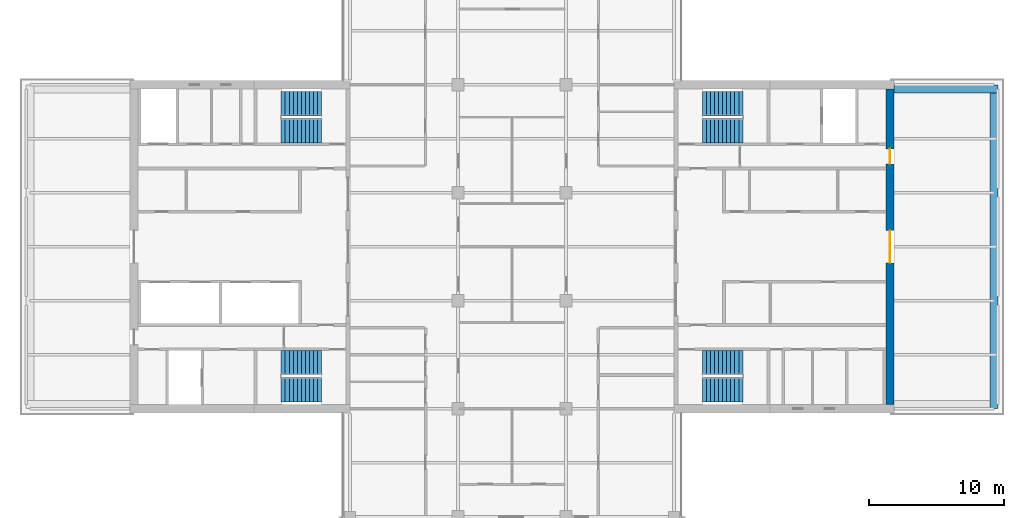
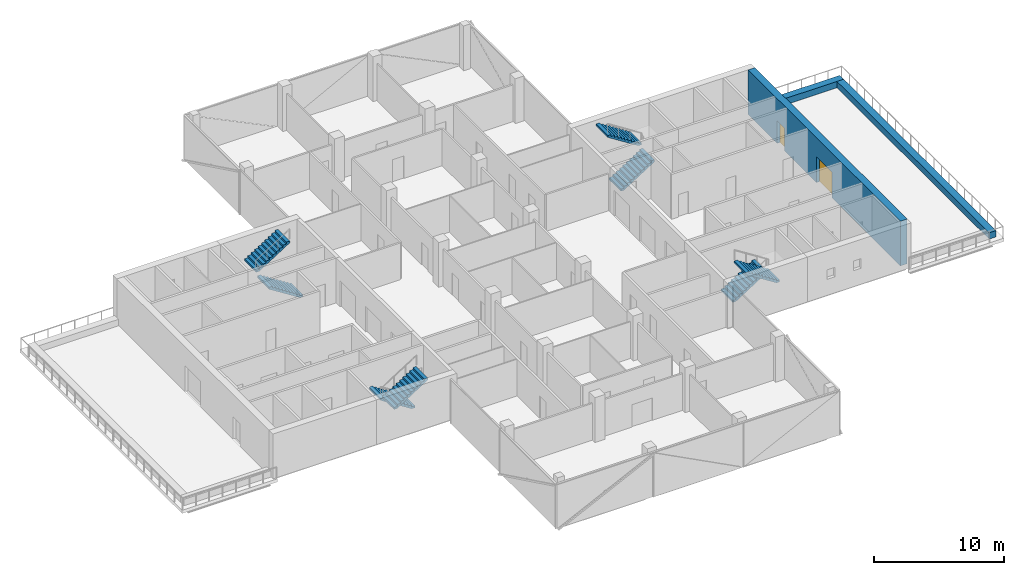
# One storey, part 15 of 18: 8 stair flights, 3 walls, 2 doors, 2 openings, 4 elements without a shape of their own.
"""IFC4 building model written with IfcOpenShell, lengths in metres."""

from ifc_helpers import new_model, si_unit, direction, frame, frame_2d, origin, place, context, subcontext, project, spatial, polyline, rectangle, outline, extrude, material, layer, layer_set, constituent, constituent_set, type_object, element, fill, aggregate, save


model = new_model("IFC4")

# Units and contexts
model_context = context("Model", 3, precision=1e-05, world=origin(), true_north=direction((0.0, 1.0)))
body_context = subcontext(model_context, "Body", "Model", "MODEL_VIEW")
ifc_project = project(units=[si_unit("LENGTHUNIT", "METRE"), si_unit("AREAUNIT", "SQUARE_METRE"), si_unit("VOLUMEUNIT", "CUBIC_METRE"), si_unit("PLANEANGLEUNIT", "RADIAN"), si_unit("MASSUNIT", "GRAM", prefix="KILO")], contexts=[model_context])

# Site, building, storey
site_placement = place(None, origin())
site = spatial("IfcSite", under=ifc_project, at=site_placement, CompositionType="ELEMENT")
building_placement = place(site_placement, origin())
building = spatial("IfcBuilding", under=site, at=building_placement, Name="Crosswind Convention Tower", CompositionType="ELEMENT")
storey_placement = place(building_placement, frame((0.0, 0.0, 178.89990234375)))
storey = spatial("IfcBuildingStorey", under=building, at=storey_placement, Name="L37", CompositionType="ELEMENT", Elevation=178.89990234375)

# Walls
ifc_material_1 = material(Name="Concrete C30/37", Category="concrete")
ifc_layer = layer(ifc_material_1, 0.60009765625)
ifc_layer_set = layer_set([ifc_layer], Name="Concrete C30/37")
wall_type_1 = type_object("IfcWallType", Name="PLANTER BOX WALL 600", PredefinedType="SOLIDWALL", material=ifc_layer_set)
wall_1_placement = place(storey_placement, frame((153.300048828125, 111.699951171875, 0.0), z_axis=(0.0, 0.0, 1.0), x_axis=(1.0, 0.0, 0.0)))
element("IfcWall", 1, at=wall_1_placement, inside=storey, type_object=wall_type_1, Name="PLANTER L37 E 1", PredefinedType="SOLIDWALL", context=body_context, shape_type="SweptSolid", body=[
    extrude(rectangle(XDim=7.699951171875, YDim=0.60009765625, at=frame_2d((3.85009765625, 0.0))), origin(), (0.0, 0.0, 1.0), 0.60009765625),
])
wall_2_placement = place(storey_placement, frame((160.699951171875, 111.39990234375, 0.0), z_axis=(0.0, 0.0, 1.0), x_axis=(0.0, -1.0, 0.0)))
element("IfcWall", 2, at=wall_2_placement, inside=storey, type_object=wall_type_1, Name="PLANTER L37 E 2", PredefinedType="SOLIDWALL", context=body_context, shape_type="SweptSolid", body=[
    extrude(rectangle(XDim=23.39990234375, YDim=0.60009765625, at=frame_2d((11.699951171875, 0.0))), origin(), (0.0, 0.0, 1.0), 0.60009765625),
])

# Wall, openings, doors
ifc_material_2 = material(Name="Concrete C60/75", Category="concrete")
ifc_constituent_1 = constituent(ifc_material_2, Name="Structure")
ifc_material_3 = material(Name="Terracotta rainscreen", Category="ceramic")
ifc_constituent_2 = constituent(ifc_material_3, Name="Facing")
ifc_constituent_set = constituent_set(constituents=[ifc_constituent_1, ifc_constituent_2], Name="Concrete C60/75, Terracotta rainscreen")
wall_type_2 = type_object("IfcWallType", Name="Terracotta rainscreen on concrete core wall 600", PredefinedType="SHEAR", material=ifc_constituent_set)
wall_3_placement = place(storey_placement, frame((153.0, 88.300048828125, 0.0), z_axis=(0.0, 0.0, 1.0), x_axis=(0.0, 1.0, 0.0)))
wall_3 = element("IfcWall", 3, at=wall_3_placement, inside=storey, type_object=wall_type_2, Name="Wall O E L37", PredefinedType="SHEAR", context=body_context, shape_type="SweptSolid", body=[
    extrude(rectangle(XDim=23.39990234375, YDim=0.60009765625, at=frame_2d((11.699951171875, 0.0))), origin(), (0.0, 0.0, 1.0), 4.2001953125),
])
opening_1_placement = place(wall_3_placement, frame((10.5, 0.0, 0.0)))
opening_1 = element("IfcOpeningElement", 4, at=opening_1_placement, cuts=wall_3, Name="Opening D100", PredefinedType="OPENING", context=body_context, shape_type="SweptSolid", body=[
    extrude(rectangle(XDim=2.39990234375, YDim=2.39990234375, at=frame_2d((1.199951171875, 1.199951171875))), frame((0.0, 0.31005859375, 0.0), z_axis=(0.0, -1.0, 0.0), x_axis=(1.0, 0.0, 0.0)), (0.0, 0.0, 1.0), 0.6201171875),
])
opening_2_placement = place(wall_3_placement, frame((17.85009765625, 0.0, 0.0)))
opening_2 = element("IfcOpeningElement", 5, at=opening_2_placement, cuts=wall_3, Name="Opening D144", PredefinedType="OPENING", context=body_context, shape_type="SweptSolid", body=[
    extrude(rectangle(XDim=1.10009765625, YDim=2.10009765625, at=frame_2d((0.550048828125, 1.050048828125))), frame((0.0, 0.31005859375, 0.0), z_axis=(0.0, -1.0, 0.0), x_axis=(1.0, 0.0, 0.0)), (0.0, 0.0, 1.0), 0.6201171875),
])
ifc_material_4 = material(Name="Steel fire door with glazed vision panels", Category="steel")
door_type_1 = type_object("IfcDoorType", Name="Fire-rated double door 2400x2400", OperationType="DOUBLE_DOOR_SINGLE_SWING", PredefinedType="DOOR", material=ifc_material_4)
door_1_placement = place(opening_1_placement, frame((2.39990234375, 0.0, 0.0), z_axis=(0.0, 0.0, 1.0), x_axis=(-1.0, 0.0, 0.0)))
door_1 = element("IfcDoor", 6, at=door_1_placement, inside=storey, type_object=door_type_1, Name="Lobby outer door L37", ObjectType="D100", OperationType="DOUBLE_DOOR_SINGLE_SWING", OverallHeight=2.39990234375, OverallWidth=2.39990234375, PredefinedType="DOOR", context=body_context, shape_type="SweptSolid", body=[
    extrude(rectangle(XDim=2.39990234375, YDim=2.39990234375, at=frame_2d((1.199951171875, 1.199951171875))), frame((0.0, 0.02490234375, 0.0), z_axis=(0.0, -1.0, 0.0), x_axis=(1.0, 0.0, 0.0)), (0.0, 0.0, 1.0), 0.050048828125),
])
fill(opening_1, door_1)
ifc_material_5 = material(Name="Aluminium glazed door", Category="aluminium")
door_type_2 = type_object("IfcDoorType", Name="TERRACE CORE DOOR 1100X2100", OperationType="NOTDEFINED", PredefinedType="DOOR", material=ifc_material_5)
door_2_placement = place(opening_2_placement, frame((1.10009765625, 0.0, 0.0), z_axis=(0.0, 0.0, 1.0), x_axis=(-1.0, 0.0, 0.0)))
door_2 = element("IfcDoor", 7, at=door_2_placement, inside=storey, type_object=door_type_2, Name="D144 terrace door L37 E", ObjectType="D144", OperationType="SINGLE_SWING_LEFT", OverallHeight=2.10009765625, OverallWidth=1.10009765625, PredefinedType="DOOR", context=body_context, shape_type="SweptSolid", body=[
    extrude(rectangle(XDim=1.10009765625, YDim=2.10009765625, at=frame_2d((0.550048828125, 1.050048828125))), frame((0.0, 0.02490234375, 0.0), z_axis=(0.0, -1.0, 0.0), x_axis=(1.0, 0.0, 0.0)), (0.0, 0.0, 1.0), 0.050048828125),
])
fill(opening_2, door_2)

# Stair, stair flights
ifc_material_6 = material(Name="Concrete C40/50", Category="concrete")
stair_type = type_object("IfcStairType", Name="Exit stair 1800 wide, 2 flights of 11 risers", PredefinedType="HALF_TURN_STAIR", material=ifc_material_6)
stair_1_placement = place(storey_placement, origin())
stair_1 = element("IfcStair", 8, at=stair_1_placement, inside=storey, type_object=stair_type, Name="Exit stair ST1 L37", ObjectType="ST5", PredefinedType="HALF_TURN_STAIR")
stair_flight_type = type_object("IfcStairFlightType", Name="Stair flight 1800 wide, 11 risers (SF4)", PredefinedType="STRAIGHT", material=ifc_material_6)
stair_flight_1_placement = place(storey_placement, frame((139.10009765625, 108.60009765625, 0.0), z_axis=(0.0, 0.0, 1.0), x_axis=(1.0, 0.0, 0.0)))
stair_flight_1 = element("IfcStairFlight", 9, at=stair_flight_1_placement, type_object=stair_flight_type, Name="ST1 flight 1", NumberOfRisers=11, NumberOfTreads=10, PredefinedType="STRAIGHT", RiserHeight=0.190909091, TreadLength=0.3, context=body_context, shape_type="SweptSolid", body=[
    extrude(outline(polyline([(0.0, 0.0), (0.0, 0.19091796875), (0.300048828125, 0.19091796875), (0.300048828125, 0.3818359375), (0.60009765625, 0.3818359375), (0.60009765625, 0.57275390625), (0.89990234375, 0.57275390625), (0.89990234375, 0.763671875), (1.199951171875, 0.763671875), (1.199951171875, 0.95458984375), (1.5, 0.95458984375), (1.5, 1.1455078125), (1.800048828125, 1.1455078125), (1.800048828125, 1.33642578125), (2.10009765625, 1.33642578125), (2.10009765625, 1.52734375), (2.39990234375, 1.52734375), (2.39990234375, 1.71826171875), (2.699951171875, 1.71826171875), (2.699951171875, 1.9091796875), (3.0, 1.9091796875), (3.0, 2.10009765625), (3.0, 1.7314453125), (0.279296875, 0.0), (0.0, 0.0)])), frame((0.0, 0.89990234375, 0.0), z_axis=(0.0, -1.0, 0.0), x_axis=(1.0, 0.0, 0.0)), (0.0, 0.0, 1.0), 1.800048828125),
])
stair_flight_2_placement = place(storey_placement, frame((142.10009765625, 110.60009765625, 2.10009765625), z_axis=(0.0, 0.0, 1.0), x_axis=(-1.0, 0.0, 0.0)))
stair_flight_2 = element("IfcStairFlight", 10, at=stair_flight_2_placement, type_object=stair_flight_type, Name="ST1 flight 2", NumberOfRisers=11, NumberOfTreads=10, PredefinedType="STRAIGHT", RiserHeight=0.190909091, TreadLength=0.3, context=body_context, shape_type="SweptSolid", body=[
    extrude(outline(polyline([(0.0, 0.0), (0.0, 0.19091796875), (0.300048828125, 0.19091796875), (0.300048828125, 0.3818359375), (0.60009765625, 0.3818359375), (0.60009765625, 0.57275390625), (0.89990234375, 0.57275390625), (0.89990234375, 0.763671875), (1.199951171875, 0.763671875), (1.199951171875, 0.95458984375), (1.5, 0.95458984375), (1.5, 1.1455078125), (1.800048828125, 1.1455078125), (1.800048828125, 1.33642578125), (2.10009765625, 1.33642578125), (2.10009765625, 1.52734375), (2.39990234375, 1.52734375), (2.39990234375, 1.71826171875), (2.699951171875, 1.71826171875), (2.699951171875, 1.9091796875), (3.0, 1.9091796875), (3.0, 2.10009765625), (3.0, 1.7314453125), (0.279296875, 0.0), (0.0, 0.0)])), frame((0.0, 0.89990234375, 0.0), z_axis=(0.0, -1.0, 0.0), x_axis=(1.0, 0.0, 0.0)), (0.0, 0.0, 1.0), 1.800048828125),
])
aggregate(stair_1, [stair_flight_1, stair_flight_2])

stair_2_placement = place(storey_placement, origin())
stair_2 = element("IfcStair", 11, at=stair_2_placement, inside=storey, type_object=stair_type, Name="Exit stair ST2 L37", ObjectType="ST5", PredefinedType="HALF_TURN_STAIR")
stair_flight_3_placement = place(storey_placement, frame((139.10009765625, 91.39990234375, 0.0), z_axis=(0.0, 0.0, 1.0), x_axis=(1.0, 0.0, 0.0)))
stair_flight_3 = element("IfcStairFlight", 12, at=stair_flight_3_placement, type_object=stair_flight_type, Name="ST2 flight 1", NumberOfRisers=11, NumberOfTreads=10, PredefinedType="STRAIGHT", RiserHeight=0.190909091, TreadLength=0.3, context=body_context, shape_type="SweptSolid", body=[
    extrude(outline(polyline([(0.0, 0.0), (0.0, 0.19091796875), (0.300048828125, 0.19091796875), (0.300048828125, 0.3818359375), (0.60009765625, 0.3818359375), (0.60009765625, 0.57275390625), (0.89990234375, 0.57275390625), (0.89990234375, 0.763671875), (1.199951171875, 0.763671875), (1.199951171875, 0.95458984375), (1.5, 0.95458984375), (1.5, 1.1455078125), (1.800048828125, 1.1455078125), (1.800048828125, 1.33642578125), (2.10009765625, 1.33642578125), (2.10009765625, 1.52734375), (2.39990234375, 1.52734375), (2.39990234375, 1.71826171875), (2.699951171875, 1.71826171875), (2.699951171875, 1.9091796875), (3.0, 1.9091796875), (3.0, 2.10009765625), (3.0, 1.7314453125), (0.279296875, 0.0), (0.0, 0.0)])), frame((0.0, 0.89990234375, 0.0), z_axis=(0.0, -1.0, 0.0), x_axis=(1.0, 0.0, 0.0)), (0.0, 0.0, 1.0), 1.800048828125),
])
stair_flight_4_placement = place(storey_placement, frame((142.10009765625, 89.39990234375, 2.10009765625), z_axis=(0.0, 0.0, 1.0), x_axis=(-1.0, 0.0, 0.0)))
stair_flight_4 = element("IfcStairFlight", 13, at=stair_flight_4_placement, type_object=stair_flight_type, Name="ST2 flight 2", NumberOfRisers=11, NumberOfTreads=10, PredefinedType="STRAIGHT", RiserHeight=0.190909091, TreadLength=0.3, context=body_context, shape_type="SweptSolid", body=[
    extrude(outline(polyline([(0.0, 0.0), (0.0, 0.19091796875), (0.300048828125, 0.19091796875), (0.300048828125, 0.3818359375), (0.60009765625, 0.3818359375), (0.60009765625, 0.57275390625), (0.89990234375, 0.57275390625), (0.89990234375, 0.763671875), (1.199951171875, 0.763671875), (1.199951171875, 0.95458984375), (1.5, 0.95458984375), (1.5, 1.1455078125), (1.800048828125, 1.1455078125), (1.800048828125, 1.33642578125), (2.10009765625, 1.33642578125), (2.10009765625, 1.52734375), (2.39990234375, 1.52734375), (2.39990234375, 1.71826171875), (2.699951171875, 1.71826171875), (2.699951171875, 1.9091796875), (3.0, 1.9091796875), (3.0, 2.10009765625), (3.0, 1.7314453125), (0.279296875, 0.0), (0.0, 0.0)])), frame((0.0, 0.89990234375, 0.0), z_axis=(0.0, -1.0, 0.0), x_axis=(1.0, 0.0, 0.0)), (0.0, 0.0, 1.0), 1.800048828125),
])
aggregate(stair_2, [stair_flight_3, stair_flight_4])

stair_3_placement = place(storey_placement, origin())
stair_3 = element("IfcStair", 14, at=stair_3_placement, inside=storey, type_object=stair_type, Name="Exit stair ST3 L37", ObjectType="ST5", PredefinedType="HALF_TURN_STAIR")
stair_flight_5_placement = place(storey_placement, frame((110.89990234375, 91.39990234375, 0.0), z_axis=(0.0, 0.0, 1.0), x_axis=(-1.0, 0.0, 0.0)))
stair_flight_5 = element("IfcStairFlight", 15, at=stair_flight_5_placement, type_object=stair_flight_type, Name="ST3 flight 1", NumberOfRisers=11, NumberOfTreads=10, PredefinedType="STRAIGHT", RiserHeight=0.190909091, TreadLength=0.3, context=body_context, shape_type="SweptSolid", body=[
    extrude(outline(polyline([(0.0, 0.0), (0.0, 0.19091796875), (0.300048828125, 0.19091796875), (0.300048828125, 0.3818359375), (0.60009765625, 0.3818359375), (0.60009765625, 0.57275390625), (0.89990234375, 0.57275390625), (0.89990234375, 0.763671875), (1.199951171875, 0.763671875), (1.199951171875, 0.95458984375), (1.5, 0.95458984375), (1.5, 1.1455078125), (1.800048828125, 1.1455078125), (1.800048828125, 1.33642578125), (2.10009765625, 1.33642578125), (2.10009765625, 1.52734375), (2.39990234375, 1.52734375), (2.39990234375, 1.71826171875), (2.699951171875, 1.71826171875), (2.699951171875, 1.9091796875), (3.0, 1.9091796875), (3.0, 2.10009765625), (3.0, 1.7314453125), (0.279296875, 0.0), (0.0, 0.0)])), frame((0.0, 0.89990234375, 0.0), z_axis=(0.0, -1.0, 0.0), x_axis=(1.0, 0.0, 0.0)), (0.0, 0.0, 1.0), 1.800048828125),
])
stair_flight_6_placement = place(storey_placement, frame((107.89990234375, 89.39990234375, 2.10009765625), z_axis=(0.0, 0.0, 1.0), x_axis=(1.0, 0.0, 0.0)))
stair_flight_6 = element("IfcStairFlight", 16, at=stair_flight_6_placement, type_object=stair_flight_type, Name="ST3 flight 2", NumberOfRisers=11, NumberOfTreads=10, PredefinedType="STRAIGHT", RiserHeight=0.190909091, TreadLength=0.3, context=body_context, shape_type="SweptSolid", body=[
    extrude(outline(polyline([(0.0, 0.0), (0.0, 0.19091796875), (0.300048828125, 0.19091796875), (0.300048828125, 0.3818359375), (0.60009765625, 0.3818359375), (0.60009765625, 0.57275390625), (0.89990234375, 0.57275390625), (0.89990234375, 0.763671875), (1.199951171875, 0.763671875), (1.199951171875, 0.95458984375), (1.5, 0.95458984375), (1.5, 1.1455078125), (1.800048828125, 1.1455078125), (1.800048828125, 1.33642578125), (2.10009765625, 1.33642578125), (2.10009765625, 1.52734375), (2.39990234375, 1.52734375), (2.39990234375, 1.71826171875), (2.699951171875, 1.71826171875), (2.699951171875, 1.9091796875), (3.0, 1.9091796875), (3.0, 2.10009765625), (3.0, 1.7314453125), (0.279296875, 0.0), (0.0, 0.0)])), frame((0.0, 0.89990234375, 0.0), z_axis=(0.0, -1.0, 0.0), x_axis=(1.0, 0.0, 0.0)), (0.0, 0.0, 1.0), 1.800048828125),
])
aggregate(stair_3, [stair_flight_5, stair_flight_6])

stair_4_placement = place(storey_placement, origin())
stair_4 = element("IfcStair", 17, at=stair_4_placement, inside=storey, type_object=stair_type, Name="Exit stair ST4 L37", ObjectType="ST5", PredefinedType="HALF_TURN_STAIR")
stair_flight_7_placement = place(storey_placement, frame((110.89990234375, 108.60009765625, 0.0), z_axis=(0.0, 0.0, 1.0), x_axis=(-1.0, 0.0, 0.0)))
stair_flight_7 = element("IfcStairFlight", 18, at=stair_flight_7_placement, type_object=stair_flight_type, Name="ST4 flight 1", NumberOfRisers=11, NumberOfTreads=10, PredefinedType="STRAIGHT", RiserHeight=0.190909091, TreadLength=0.3, context=body_context, shape_type="SweptSolid", body=[
    extrude(outline(polyline([(0.0, 0.0), (0.0, 0.19091796875), (0.300048828125, 0.19091796875), (0.300048828125, 0.3818359375), (0.60009765625, 0.3818359375), (0.60009765625, 0.57275390625), (0.89990234375, 0.57275390625), (0.89990234375, 0.763671875), (1.199951171875, 0.763671875), (1.199951171875, 0.95458984375), (1.5, 0.95458984375), (1.5, 1.1455078125), (1.800048828125, 1.1455078125), (1.800048828125, 1.33642578125), (2.10009765625, 1.33642578125), (2.10009765625, 1.52734375), (2.39990234375, 1.52734375), (2.39990234375, 1.71826171875), (2.699951171875, 1.71826171875), (2.699951171875, 1.9091796875), (3.0, 1.9091796875), (3.0, 2.10009765625), (3.0, 1.7314453125), (0.279296875, 0.0), (0.0, 0.0)])), frame((0.0, 0.89990234375, 0.0), z_axis=(0.0, -1.0, 0.0), x_axis=(1.0, 0.0, 0.0)), (0.0, 0.0, 1.0), 1.800048828125),
])
stair_flight_8_placement = place(storey_placement, frame((107.89990234375, 110.60009765625, 2.10009765625), z_axis=(0.0, 0.0, 1.0), x_axis=(1.0, 0.0, 0.0)))
stair_flight_8 = element("IfcStairFlight", 19, at=stair_flight_8_placement, type_object=stair_flight_type, Name="ST4 flight 2", NumberOfRisers=11, NumberOfTreads=10, PredefinedType="STRAIGHT", RiserHeight=0.190909091, TreadLength=0.3, context=body_context, shape_type="SweptSolid", body=[
    extrude(outline(polyline([(0.0, 0.0), (0.0, 0.19091796875), (0.300048828125, 0.19091796875), (0.300048828125, 0.3818359375), (0.60009765625, 0.3818359375), (0.60009765625, 0.57275390625), (0.89990234375, 0.57275390625), (0.89990234375, 0.763671875), (1.199951171875, 0.763671875), (1.199951171875, 0.95458984375), (1.5, 0.95458984375), (1.5, 1.1455078125), (1.800048828125, 1.1455078125), (1.800048828125, 1.33642578125), (2.10009765625, 1.33642578125), (2.10009765625, 1.52734375), (2.39990234375, 1.52734375), (2.39990234375, 1.71826171875), (2.699951171875, 1.71826171875), (2.699951171875, 1.9091796875), (3.0, 1.9091796875), (3.0, 2.10009765625), (3.0, 1.7314453125), (0.279296875, 0.0), (0.0, 0.0)])), frame((0.0, 0.89990234375, 0.0), z_axis=(0.0, -1.0, 0.0), x_axis=(1.0, 0.0, 0.0)), (0.0, 0.0, 1.0), 1.800048828125),
])
aggregate(stair_4, [stair_flight_7, stair_flight_8])

save(model, "model.ifc")
